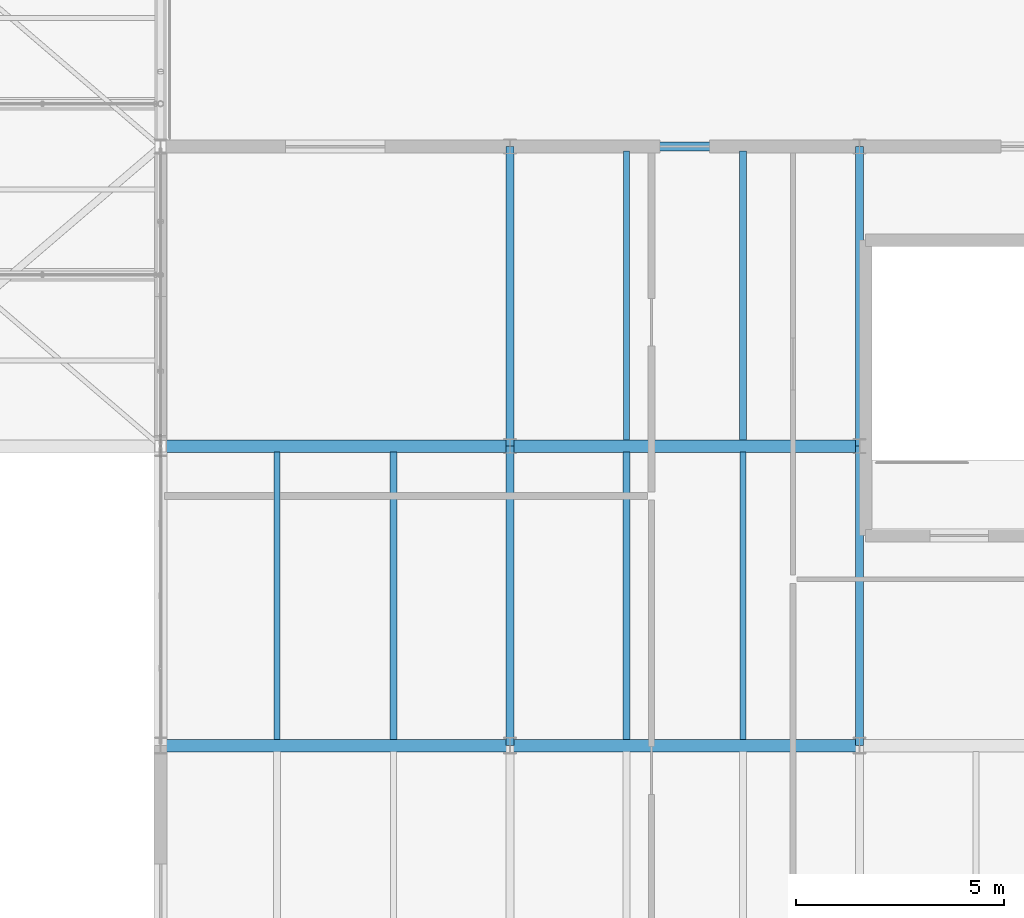
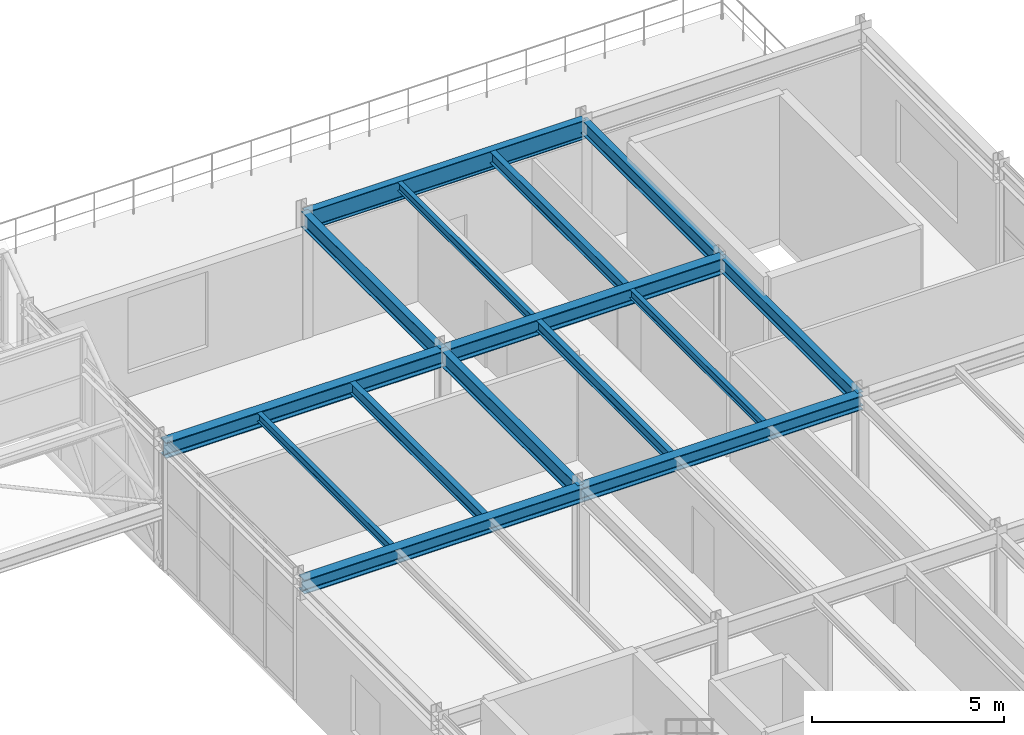
# One storey, part 86 of 134: 15 beams.
"""IFC4 building model written with IfcOpenShell, lengths in metres."""

import ifcopenshell
import ifcopenshell.guid

model = None  # the IFC model being written
_history = None  # IfcOwnerHistory: only IFC2X3 demands one
_inside = {}  # id of a spatial element -> (the spatial element, [elements in it])
_under = {}  # id of a project, library or spatial element -> (it, [spatial elements below it])
_declared = {}  # id of a project -> (the project, [libraries it declares])
_typed = {}  # id of a type object -> (the type object, [elements of that type])
_made_of = {}  # id of a material, layer set ... -> (it, [elements and type objects made of it])


def new_model(schema):
    """Start an empty IFC model of exactly this schema.

    Asked for "IFC4X3", IfcOpenShell would pick the latest addendum, in which some entities
    have other attributes; the version numbers below select the first issue.
    IFC2X3 requires an IfcOwnerHistory on every rooted entity: one is made here for all.
    """
    global model, _history
    if schema == "IFC4X3":
        model = ifcopenshell.file(schema_version=(4, 3, 0, 0))
    else:
        model = ifcopenshell.file(schema=schema)
    _inside.clear()
    _under.clear()
    _declared.clear()
    _typed.clear()
    _made_of.clear()
    _history = None
    if model.schema == "IFC2X3":
        org = make("IfcOrganization", Name="unknown")
        user = make(
            "IfcPersonAndOrganization",
            ThePerson=make("IfcPerson", FamilyName="unknown"),
            TheOrganization=org,
        )
        app = make(
            "IfcApplication",
            ApplicationDeveloper=org,
            Version="unknown",
            ApplicationFullName="unknown",
            ApplicationIdentifier="unknown",
        )
        _history = make(
            "IfcOwnerHistory",
            OwningUser=user,
            OwningApplication=app,
            ChangeAction="ADDED",
            CreationDate=0,
        )
    return model


def make(cls, **values):
    """One entity of the class cls with the attributes given. An attribute that is None is left unset."""
    return model.create_entity(
        cls, **{name: value for name, value in values.items() if value is not None}
    )


def rooted(cls, **values):
    """An entity with a GlobalId (a new one), such as an element, a storey or a relation."""
    return make(cls, GlobalId=ifcopenshell.guid.new(), OwnerHistory=_history, **values)


def si_unit(unit_type, name, prefix=None):
    """IfcSIUnit, for example si_unit("LENGTHUNIT", "METRE", prefix="MILLI")."""
    return make("IfcSIUnit", UnitType=unit_type, Prefix=prefix, Name=name)


def derived_unit(unit_type, elements):
    """IfcDerivedUnit: a product of units, each with its exponent."""
    return make(
        "IfcDerivedUnit",
        Elements=[
            make("IfcDerivedUnitElement", Unit=unit, Exponent=power)
            for unit, power in elements
        ],
        UnitType=unit_type,
    )


def assignment(units):
    """IfcUnitAssignment: the units of a project."""
    return None if units is None else make("IfcUnitAssignment", Units=units)


def point(xyz):
    """IfcCartesianPoint."""
    return None if xyz is None else make("IfcCartesianPoint", Coordinates=xyz)


def direction(xyz):
    """IfcDirection."""
    return None if xyz is None else make("IfcDirection", DirectionRatios=xyz)


def frame(location, z_axis=None, x_axis=None):
    """IfcAxis2Placement3D, a coordinate frame: its origin and axes. An axis left out is left unset."""
    return make(
        "IfcAxis2Placement3D",
        Location=point(location),
        Axis=direction(z_axis),
        RefDirection=direction(x_axis),
    )


def frame_2d(location, x_axis=None):
    """IfcAxis2Placement2D, a coordinate frame in the plane: its origin and x axis."""
    return make(
        "IfcAxis2Placement2D", Location=point(location), RefDirection=direction(x_axis)
    )


def origin():
    """The frame at (0, 0, 0) with its axes left unset."""
    return frame((0.0, 0.0, 0.0))


def origin_2d():
    """The frame at (0, 0) in the plane with its x axis left unset."""
    return frame_2d((0.0, 0.0))


def place(relative_to, where):
    """IfcLocalPlacement: puts the frame where relative to a parent placement (None: the world)."""
    return make(
        "IfcLocalPlacement", PlacementRelTo=relative_to, RelativePlacement=where
    )


def context(
    kind, dimensions, precision=None, world=None, true_north=None, identifier=None
):
    """IfcGeometricRepresentationContext, for example the 3D "Model" context."""
    return make(
        "IfcGeometricRepresentationContext",
        ContextIdentifier=identifier,
        ContextType=kind,
        CoordinateSpaceDimension=dimensions,
        Precision=precision,
        WorldCoordinateSystem=world,
        TrueNorth=true_north,
    )


def subcontext(parent, identifier, kind, view, scale=None):
    """IfcGeometricRepresentationSubContext, for example "Body" below "Model"."""
    return make(
        "IfcGeometricRepresentationSubContext",
        ContextIdentifier=identifier,
        ContextType=kind,
        ParentContext=parent,
        TargetScale=scale,
        TargetView=view,
    )


def project(units=None, contexts=None):
    """IfcProject with its units and contexts."""
    return rooted(
        "IfcProject",
        Name="project",
        RepresentationContexts=contexts,
        UnitsInContext=assignment(units),
    )


def spatial(cls, under=None, at=None, **own):
    """A site, building, storey or space (cls), placed at a placement, below another one or the project."""
    s = rooted(cls, ObjectPlacement=at, **own)
    if under is not None:
        _under.setdefault(under.id(), (under, []))[1].append(s)
    return s


def profile(cls, at=None, kind="AREA", **sizes):
    """A parametric profile (cls). Its sizes go by their IFC names, for example OverallWidth=200.0."""
    return make(cls, ProfileType=kind, Position=at, **sizes)


def i_section(**sizes):
    """IfcIShapeProfileDef."""
    return profile("IfcIShapeProfileDef", **sizes)


def extrude(swept, where, along, depth):
    """IfcExtrudedAreaSolid: the profile swept, set in the frame where, extruded along a direction by depth."""
    return make(
        "IfcExtrudedAreaSolid",
        SweptArea=swept,
        Position=where,
        ExtrudedDirection=direction(along),
        Depth=depth,
    )


def shape(context_of_items, identifier, shape_type, items):
    """IfcShapeRepresentation: the items that make up one representation, for example the "Body"."""
    return make(
        "IfcShapeRepresentation",
        ContextOfItems=context_of_items,
        RepresentationIdentifier=identifier,
        RepresentationType=shape_type,
        Items=items,
    )


def material(Name=None, Category=None):
    """IfcMaterial."""
    return make("IfcMaterial", Name=Name, Category=Category)


def material_profile(
    of_material, cross_section, Name=None, Category=None, Priority=None
):
    """IfcMaterialProfile: a cross section and its material."""
    return make(
        "IfcMaterialProfile",
        Name=Name,
        Material=of_material,
        Profile=cross_section,
        Priority=Priority,
        Category=Category,
    )


def profile_set(profiles, Name=None, composite=None):
    """IfcMaterialProfileSet."""
    return make(
        "IfcMaterialProfileSet",
        Name=Name,
        MaterialProfiles=profiles,
        CompositeProfile=composite,
    )


def made_of(thing, what):
    """Note that an element or type object is made of a material, layer set ...; save() writes the relation."""
    if what is not None:
        _made_of.setdefault(what.id(), (what, []))[1].append(thing)
    return thing


def type_object(cls, material=None, **own):
    """A type object (cls), such as IfcWallType, which elements share."""
    return made_of(rooted(cls, **own), material)


def element(
    cls,
    number,
    at=None,
    inside=None,
    cuts=None,
    type_object=None,
    material=None,
    context=None,
    identifier="Body",
    shape_type=None,
    held_by="IfcProductDefinitionShape",
    body=None,
    shapes=None,
    **own,
):
    """One element of the class cls, such as IfcWall. Its Tag is "e" and its number.

    at: its placement. inside: the storey or other place that contains it. cuts: it is an
    opening in that element (IfcRelVoidsElement). A single representation is given by context,
    identifier, shape_type and body (its items); several are given by shapes. held_by: the class
    of the entity that holds the representations. save() writes the other relations.
    """
    e = rooted(cls, Tag="e%d" % number, ObjectPlacement=at, **own)
    if body is not None:
        shapes = [shape(context, identifier, shape_type, body)]
    if shapes is not None:
        e.Representation = make(held_by, Representations=shapes)
    if inside is not None:
        _inside.setdefault(inside.id(), (inside, []))[1].append(e)
    if cuts is not None:
        rooted(
            "IfcRelVoidsElement", RelatingBuildingElement=cuts, RelatedOpeningElement=e
        )
    if type_object is not None:
        _typed.setdefault(type_object.id(), (type_object, []))[1].append(e)
    return made_of(e, material)


def aggregate(whole, parts):
    """IfcRelAggregates: a whole, such as a stair, and the parts it consists of."""
    return rooted("IfcRelAggregates", RelatingObject=whole, RelatedObjects=parts)


def save(model, path):
    """Write the relations noted so far, then the file.

    IfcRelAggregates (storeys below a building ...), IfcRelContainedInSpatialStructure (elements
    in a storey), IfcRelDefinesByType, IfcRelAssociatesMaterial and IfcRelDeclares: one each for
    every whole, place, type object, material and project.
    """
    for whole, parts in _under.values():
        aggregate(whole, parts)
    for where, things in _inside.values():
        rooted(
            "IfcRelContainedInSpatialStructure",
            RelatedElements=things,
            RelatingStructure=where,
        )
    for kind, things in _typed.values():
        rooted("IfcRelDefinesByType", RelatedObjects=things, RelatingType=kind)
    for what, things in _made_of.values():
        rooted("IfcRelAssociatesMaterial", RelatedObjects=things, RelatingMaterial=what)
    for by, libraries in _declared.values():
        rooted("IfcRelDeclares", RelatingContext=by, RelatedDefinitions=libraries)
    model.write(path)


model = new_model("IFC4")

# Units and contexts
model_context = context("Model", 3, precision=1e-05, world=origin(), true_north=direction((0.0, 1.0)))
body_context = subcontext(model_context, "Body", "Model", "MODEL_VIEW")
ifc_project = project(units=[si_unit("LENGTHUNIT", "METRE"), si_unit("AREAUNIT", "SQUARE_METRE"), si_unit("VOLUMEUNIT", "CUBIC_METRE"), si_unit("PLANEANGLEUNIT", "RADIAN"), si_unit("MASSUNIT", "GRAM", prefix="KILO"), derived_unit("THERMALTRANSMITTANCEUNIT", [(si_unit("MASSUNIT", "GRAM", prefix="KILO"), 1), (si_unit("TIMEUNIT", "SECOND"), -3), (si_unit("THERMODYNAMICTEMPERATUREUNIT", "KELVIN"), -1)])], contexts=[model_context])

# Site, building, storey
site_placement = place(None, origin())
site = spatial("IfcSite", under=ifc_project, at=site_placement, CompositionType="ELEMENT")
building_placement = place(site_placement, origin())
building = spatial("IfcBuilding", under=site, at=building_placement, Name="Kharveza Railside Sports Centre", CompositionType="ELEMENT")
storey_placement = place(building_placement, frame((0.0, 0.0, 12.89990234375)))
storey = spatial("IfcBuildingStorey", under=building, at=storey_placement, Name="L03", CompositionType="ELEMENT", Elevation=12.89990234375)

# Beams
ifc_material = material(Name="Steel S355J2", Category="steel")
ifc_material_profile_1 = material_profile(ifc_material, i_section(OverallWidth=0.219970703125, OverallDepth=0.60009765625, WebThickness=0.011962890625, FlangeThickness=0.01904296875, FilletRadius=0.02392578125, at=origin_2d()), Name="IPE 600")
ifc_profile_set_1 = profile_set([ifc_material_profile_1], Name="Steel S355J2")
beam_type_1 = type_object("IfcBeamType", Name="BM-G01", PredefinedType="T_BEAM", material=ifc_profile_set_1)
beam_1_placement = place(storey_placement, frame((151.199951171875, 86.39990234375, 3.66015625), z_axis=(1.0, 0.0, 0.0), x_axis=(0.0, 1.0, 0.0)))
element("IfcBeam", 1, at=beam_1_placement, inside=storey, type_object=beam_type_1, Name="BM-EW-L03-B01-X1512-Y864", PredefinedType="T_BEAM", context=body_context, shape_type="SweptSolid", body=[
    extrude(i_section(OverallWidth=0.219970703125, OverallDepth=0.60009765625, WebThickness=0.011962890625, FlangeThickness=0.01904296875, FilletRadius=0.02392578125, at=origin_2d()), origin(), (0.0, 0.0, 1.0), 8.400146484375),
])
ifc_material_profile_2 = material_profile(ifc_material, i_section(OverallWidth=0.199951171875, OverallDepth=0.5, WebThickness=0.01025390625, FlangeThickness=0.01611328125, FilletRadius=0.02099609375, at=origin_2d()), Name="IPE 500")
ifc_profile_set_2 = profile_set([ifc_material_profile_2], Name="Steel S355J2")
beam_type_2 = type_object("IfcBeamType", Name="BM-G03", PredefinedType="T_BEAM", material=ifc_profile_set_2)
for number, where, z_axis, x_axis, name in (
    (2, (151.199951171875, 72.0, 3.710205078125), (0.0, 1.0, 0.0), (-1.0, 0.0, 0.0), "BM-NS-L03-B03-X1512-Y720"),
    (3, (151.199951171875, 79.199951171875, 3.710205078125), (0.0, 1.0, 0.0), (-1.0, 0.0, 0.0), "BM-NS-L03-B03-X1512-Y792"),
):
    element("IfcBeam", number, at=place(storey_placement, frame(where, z_axis=z_axis, x_axis=x_axis)), inside=storey, type_object=beam_type_2, Name=name, PredefinedType="T_BEAM", context=body_context, shape_type="SweptSolid", body=[
        extrude(i_section(OverallWidth=0.199951171875, OverallDepth=0.5, WebThickness=0.01025390625, FlangeThickness=0.01611328125, FilletRadius=0.02099609375, at=origin_2d()), origin(), (0.0, 0.0, 1.0), 7.199951171875),
    ])
ifc_material_profile_3 = material_profile(ifc_material, i_section(OverallWidth=0.18994140625, OverallDepth=0.449951171875, WebThickness=0.009521484375, FlangeThickness=0.0146484375, FilletRadius=0.02099609375, at=origin_2d()), Name="IPE 450")
ifc_profile_set_3 = profile_set([ifc_material_profile_3], Name="Steel S355J2")
beam_type_3 = type_object("IfcBeamType", Name="BM-G04", PredefinedType="T_BEAM", material=ifc_profile_set_3)
for number, where, z_axis, x_axis, name in (
    (4, (159.60009765625, 72.0, 3.735107421875), (0.0, 1.0, 0.0), (-1.0, 0.0, 0.0), "BM-NS-L03-B04-X1596-Y720"),
    (5, (159.60009765625, 79.199951171875, 3.735107421875), (0.0, 1.0, 0.0), (-1.0, 0.0, 0.0), "BM-NS-L03-B04-X1596-Y792"),
):
    element("IfcBeam", number, at=place(storey_placement, frame(where, z_axis=z_axis, x_axis=x_axis)), inside=storey, type_object=beam_type_3, Name=name, PredefinedType="T_BEAM", context=body_context, shape_type="SweptSolid", body=[
        extrude(i_section(OverallWidth=0.18994140625, OverallDepth=0.449951171875, WebThickness=0.009521484375, FlangeThickness=0.0146484375, FilletRadius=0.02099609375, at=origin_2d()), origin(), (0.0, 0.0, 1.0), 7.199951171875),
    ])
ifc_material_profile_4 = material_profile(ifc_material, i_section(OverallWidth=0.300048828125, OverallDepth=0.5, WebThickness=0.014404296875, FlangeThickness=0.028076171875, FilletRadius=0.027099609375, at=origin_2d()), Name="HEB 500")
ifc_profile_set_4 = profile_set([ifc_material_profile_4], Name="Steel S355J2")
beam_type_4 = type_object("IfcBeamType", Name="BM-G05", PredefinedType="T_BEAM", material=ifc_profile_set_4)
beam_2_placement = place(storey_placement, frame((142.800048828125, 79.199951171875, 3.710205078125), z_axis=(1.0, 0.0, 0.0), x_axis=(0.0, 1.0, 0.0)))
element("IfcBeam", 6, at=beam_2_placement, inside=storey, type_object=beam_type_4, Name="BM-EW-L03-B05-X1428-Y792", PredefinedType="T_BEAM", context=body_context, shape_type="SweptSolid", body=[
    extrude(i_section(OverallWidth=0.300048828125, OverallDepth=0.5, WebThickness=0.014404296875, FlangeThickness=0.028076171875, FilletRadius=0.027099609375, at=origin_2d()), origin(), (0.0, 0.0, 1.0), 8.39990234375),
])
beam_3_placement = place(storey_placement, frame((151.199951171875, 79.199951171875, 3.710205078125), z_axis=(1.0, 0.0, 0.0), x_axis=(0.0, 1.0, 0.0)))
element("IfcBeam", 7, at=beam_3_placement, inside=storey, type_object=beam_type_4, Name="BM-EW-L03-B05-X1512-Y792", PredefinedType="T_BEAM", context=body_context, shape_type="SweptSolid", body=[
    extrude(i_section(OverallWidth=0.300048828125, OverallDepth=0.5, WebThickness=0.014404296875, FlangeThickness=0.028076171875, FilletRadius=0.027099609375, at=origin_2d()), origin(), (0.0, 0.0, 1.0), 8.400146484375),
])
ifc_material_profile_5 = material_profile(ifc_material, i_section(OverallWidth=0.300048828125, OverallDepth=0.449951171875, WebThickness=0.013916015625, FlangeThickness=0.02587890625, FilletRadius=0.027099609375, at=origin_2d()), Name="HEB 450")
ifc_profile_set_5 = profile_set([ifc_material_profile_5], Name="Steel S355J2")
beam_type_5 = type_object("IfcBeamType", Name="BM-G06", PredefinedType="T_BEAM", material=ifc_profile_set_5)
beam_4_placement = place(storey_placement, frame((142.800048828125, 72.0, 3.735107421875), z_axis=(1.0, 0.0, 0.0), x_axis=(0.0, 1.0, 0.0)))
element("IfcBeam", 8, at=beam_4_placement, inside=storey, type_object=beam_type_5, Name="BM-EW-L03-B06-X1428-Y720", PredefinedType="T_BEAM", context=body_context, shape_type="SweptSolid", body=[
    extrude(i_section(OverallWidth=0.300048828125, OverallDepth=0.449951171875, WebThickness=0.013916015625, FlangeThickness=0.02587890625, FilletRadius=0.027099609375, at=origin_2d()), origin(), (0.0, 0.0, 1.0), 8.39990234375),
])
beam_5_placement = place(storey_placement, frame((151.199951171875, 72.0, 3.735107421875), z_axis=(1.0, 0.0, 0.0), x_axis=(0.0, 1.0, 0.0)))
element("IfcBeam", 9, at=beam_5_placement, inside=storey, type_object=beam_type_5, Name="BM-EW-L03-B06-X1512-Y720", PredefinedType="T_BEAM", context=body_context, shape_type="SweptSolid", body=[
    extrude(i_section(OverallWidth=0.300048828125, OverallDepth=0.449951171875, WebThickness=0.013916015625, FlangeThickness=0.02587890625, FilletRadius=0.027099609375, at=origin_2d()), origin(), (0.0, 0.0, 1.0), 8.400146484375),
])
ifc_material_profile_6 = material_profile(ifc_material, i_section(OverallWidth=0.169921875, OverallDepth=0.360107421875, WebThickness=0.008056640625, FlangeThickness=0.0126953125, FilletRadius=0.01806640625, at=origin_2d()), Name="IPE 360")
ifc_profile_set_6 = profile_set([ifc_material_profile_6], Name="Steel S355J2")
beam_type_6 = type_object("IfcBeamType", Name="BM-S02", PredefinedType="BEAM", material=ifc_profile_set_6)
beam_6_placement = place(storey_placement, frame((148.39990234375, 72.14697265625, 3.780029296875), z_axis=(0.0, 1.0, 0.0), x_axis=(-1.0, 0.0, 0.0)))
element("IfcBeam", 10, at=beam_6_placement, inside=storey, type_object=beam_type_6, Name="BM-SEC-L03-B10-X1484-Y720", PredefinedType="BEAM", context=body_context, shape_type="SweptSolid", body=[
    extrude(i_section(OverallWidth=0.169921875, OverallDepth=0.360107421875, WebThickness=0.008056640625, FlangeThickness=0.0126953125, FilletRadius=0.01806640625, at=origin_2d()), origin(), (0.0, 0.0, 1.0), 6.906005859375),
])
beam_7_placement = place(storey_placement, frame((156.800048828125, 79.346923828125, 3.780029296875), z_axis=(0.0, 1.0, 0.0), x_axis=(-1.0, 0.0, 0.0)))
element("IfcBeam", 11, at=beam_7_placement, inside=storey, type_object=beam_type_6, Name="BM-SEC-L03-B10-X1568-Y792", PredefinedType="BEAM", context=body_context, shape_type="SweptSolid", body=[
    extrude(i_section(OverallWidth=0.169921875, OverallDepth=0.360107421875, WebThickness=0.008056640625, FlangeThickness=0.0126953125, FilletRadius=0.01806640625, at=origin_2d()), origin(), (0.0, 0.0, 1.0), 6.946044921875),
])
ifc_material_profile_7 = material_profile(ifc_material, i_section(OverallWidth=0.159912109375, OverallDepth=0.330078125, WebThickness=0.007568359375, FlangeThickness=0.011474609375, FilletRadius=0.01806640625, at=origin_2d()), Name="IPE 330")
ifc_profile_set_7 = profile_set([ifc_material_profile_7], Name="Steel S355J2")
beam_type_7 = type_object("IfcBeamType", Name="BM-S03", PredefinedType="BEAM", material=ifc_profile_set_7)
beam_8_placement = place(storey_placement, frame((154.0, 72.14697265625, 3.795166015625), z_axis=(0.0, 1.0, 0.0), x_axis=(-1.0, 0.0, 0.0)))
element("IfcBeam", 12, at=beam_8_placement, inside=storey, type_object=beam_type_7, Name="BM-SEC-L03-B11-X1540-Y720", PredefinedType="BEAM", context=body_context, shape_type="SweptSolid", body=[
    extrude(i_section(OverallWidth=0.159912109375, OverallDepth=0.330078125, WebThickness=0.007568359375, FlangeThickness=0.011474609375, FilletRadius=0.01806640625, at=origin_2d()), origin(), (0.0, 0.0, 1.0), 6.906005859375),
])
ifc_material_profile_8 = material_profile(ifc_material, i_section(OverallWidth=0.135009765625, OverallDepth=0.27001953125, WebThickness=0.006591796875, FlangeThickness=0.01025390625, FilletRadius=0.014892578125, at=origin_2d()), Name="IPE 270")
ifc_profile_set_8 = profile_set([ifc_material_profile_8], Name="Steel S355J2")
beam_type_8 = type_object("IfcBeamType", Name="BM-S05", PredefinedType="BEAM", material=ifc_profile_set_8)
for number, where, z_axis, x_axis, name in (
    (13, (145.60009765625, 72.14697265625, 3.8251953125), (0.0, 1.0, 0.0), (-1.0, 0.0, 0.0), "BM-SEC-L03-B13-X1456-Y720"),
    (14, (156.800048828125, 72.14697265625, 3.8251953125), (0.0, 1.0, 0.0), (-1.0, 0.0, 0.0), "BM-SEC-L03-B13-X1568-Y720"),
):
    element("IfcBeam", number, at=place(storey_placement, frame(where, z_axis=z_axis, x_axis=x_axis)), inside=storey, type_object=beam_type_8, Name=name, PredefinedType="BEAM", context=body_context, shape_type="SweptSolid", body=[
        extrude(i_section(OverallWidth=0.135009765625, OverallDepth=0.27001953125, WebThickness=0.006591796875, FlangeThickness=0.01025390625, FilletRadius=0.014892578125, at=origin_2d()), origin(), (0.0, 0.0, 1.0), 6.906005859375),
    ])
beam_9_placement = place(storey_placement, frame((154.0, 79.346923828125, 3.8251953125), z_axis=(0.0, 1.0, 0.0), x_axis=(-1.0, 0.0, 0.0)))
element("IfcBeam", 15, at=beam_9_placement, inside=storey, type_object=beam_type_8, Name="BM-SEC-L03-B13-X1540-Y792", PredefinedType="BEAM", context=body_context, shape_type="SweptSolid", body=[
    extrude(i_section(OverallWidth=0.135009765625, OverallDepth=0.27001953125, WebThickness=0.006591796875, FlangeThickness=0.01025390625, FilletRadius=0.014892578125, at=origin_2d()), origin(), (0.0, 0.0, 1.0), 6.946044921875),
])

save(model, "model.ifc")
